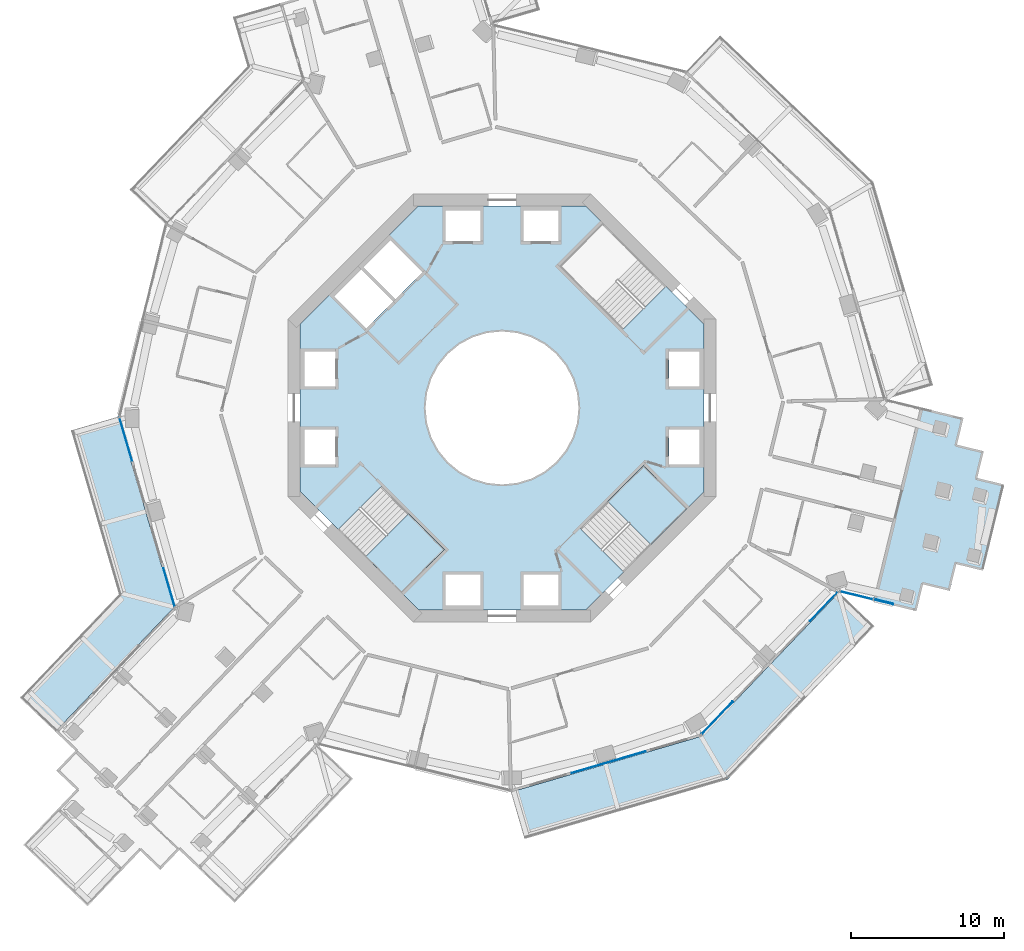
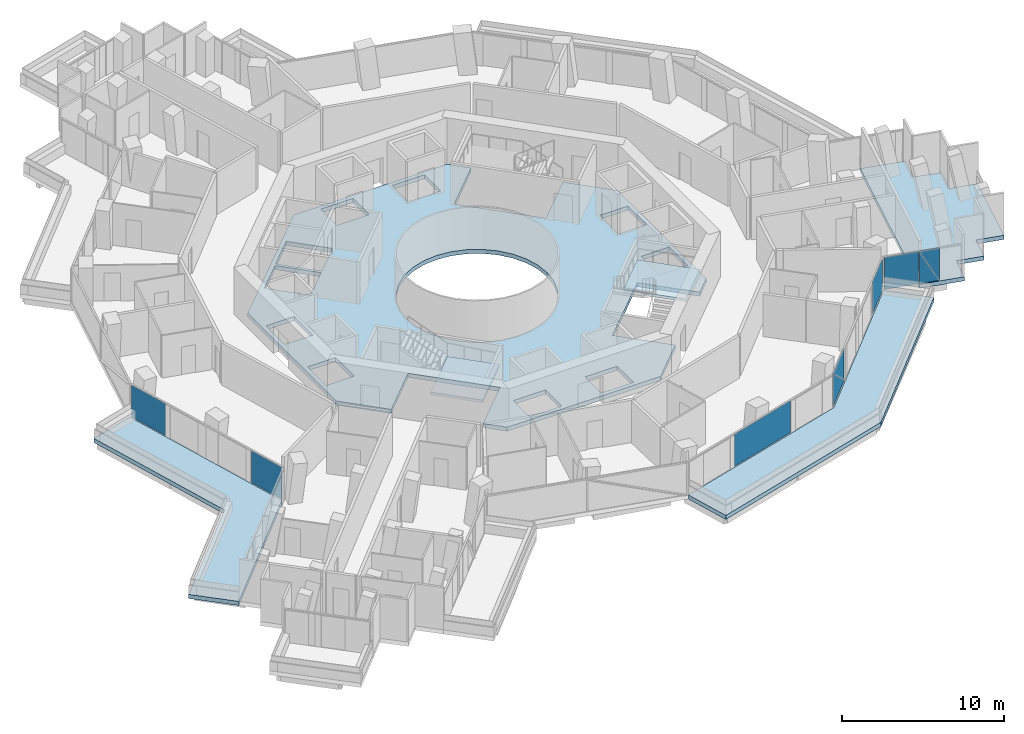
# One storey, part 13 of 25: 9 plates, 6 slabs, 6 elements without a shape of their own.
"""IFC4 building model written with IfcOpenShell, lengths in metres."""

import ifcopenshell
import ifcopenshell.guid

model = None  # the IFC model being written
_history = None  # IfcOwnerHistory: only IFC2X3 demands one
_inside = {}  # id of a spatial element -> (the spatial element, [elements in it])
_under = {}  # id of a project, library or spatial element -> (it, [spatial elements below it])
_declared = {}  # id of a project -> (the project, [libraries it declares])
_typed = {}  # id of a type object -> (the type object, [elements of that type])
_made_of = {}  # id of a material, layer set ... -> (it, [elements and type objects made of it])


def new_model(schema):
    """Start an empty IFC model of exactly this schema.

    Asked for "IFC4X3", IfcOpenShell would pick the latest addendum, in which some entities
    have other attributes; the version numbers below select the first issue.
    IFC2X3 requires an IfcOwnerHistory on every rooted entity: one is made here for all.
    """
    global model, _history
    if schema == "IFC4X3":
        model = ifcopenshell.file(schema_version=(4, 3, 0, 0))
    else:
        model = ifcopenshell.file(schema=schema)
    _inside.clear()
    _under.clear()
    _declared.clear()
    _typed.clear()
    _made_of.clear()
    _history = None
    if model.schema == "IFC2X3":
        org = make("IfcOrganization", Name="unknown")
        user = make(
            "IfcPersonAndOrganization",
            ThePerson=make("IfcPerson", FamilyName="unknown"),
            TheOrganization=org,
        )
        app = make(
            "IfcApplication",
            ApplicationDeveloper=org,
            Version="unknown",
            ApplicationFullName="unknown",
            ApplicationIdentifier="unknown",
        )
        _history = make(
            "IfcOwnerHistory",
            OwningUser=user,
            OwningApplication=app,
            ChangeAction="ADDED",
            CreationDate=0,
        )
    return model


def make(cls, **values):
    """One entity of the class cls with the attributes given. An attribute that is None is left unset."""
    return model.create_entity(
        cls, **{name: value for name, value in values.items() if value is not None}
    )


def rooted(cls, **values):
    """An entity with a GlobalId (a new one), such as an element, a storey or a relation."""
    return make(cls, GlobalId=ifcopenshell.guid.new(), OwnerHistory=_history, **values)


def si_unit(unit_type, name, prefix=None):
    """IfcSIUnit, for example si_unit("LENGTHUNIT", "METRE", prefix="MILLI")."""
    return make("IfcSIUnit", UnitType=unit_type, Prefix=prefix, Name=name)


def assignment(units):
    """IfcUnitAssignment: the units of a project."""
    return None if units is None else make("IfcUnitAssignment", Units=units)


def point(xyz):
    """IfcCartesianPoint."""
    return None if xyz is None else make("IfcCartesianPoint", Coordinates=xyz)


def direction(xyz):
    """IfcDirection."""
    return None if xyz is None else make("IfcDirection", DirectionRatios=xyz)


def frame(location, z_axis=None, x_axis=None):
    """IfcAxis2Placement3D, a coordinate frame: its origin and axes. An axis left out is left unset."""
    return make(
        "IfcAxis2Placement3D",
        Location=point(location),
        Axis=direction(z_axis),
        RefDirection=direction(x_axis),
    )


def frame_2d(location, x_axis=None):
    """IfcAxis2Placement2D, a coordinate frame in the plane: its origin and x axis."""
    return make(
        "IfcAxis2Placement2D", Location=point(location), RefDirection=direction(x_axis)
    )


def origin():
    """The frame at (0, 0, 0) with its axes left unset."""
    return frame((0.0, 0.0, 0.0))


def origin_2d():
    """The frame at (0, 0) in the plane with its x axis left unset."""
    return frame_2d((0.0, 0.0))


def place(relative_to, where):
    """IfcLocalPlacement: puts the frame where relative to a parent placement (None: the world)."""
    return make(
        "IfcLocalPlacement", PlacementRelTo=relative_to, RelativePlacement=where
    )


def context(
    kind, dimensions, precision=None, world=None, true_north=None, identifier=None
):
    """IfcGeometricRepresentationContext, for example the 3D "Model" context."""
    return make(
        "IfcGeometricRepresentationContext",
        ContextIdentifier=identifier,
        ContextType=kind,
        CoordinateSpaceDimension=dimensions,
        Precision=precision,
        WorldCoordinateSystem=world,
        TrueNorth=true_north,
    )


def subcontext(parent, identifier, kind, view, scale=None):
    """IfcGeometricRepresentationSubContext, for example "Body" below "Model"."""
    return make(
        "IfcGeometricRepresentationSubContext",
        ContextIdentifier=identifier,
        ContextType=kind,
        ParentContext=parent,
        TargetScale=scale,
        TargetView=view,
    )


def project(units=None, contexts=None):
    """IfcProject with its units and contexts."""
    return rooted(
        "IfcProject",
        Name="project",
        RepresentationContexts=contexts,
        UnitsInContext=assignment(units),
    )


def spatial(cls, under=None, at=None, **own):
    """A site, building, storey or space (cls), placed at a placement, below another one or the project."""
    s = rooted(cls, ObjectPlacement=at, **own)
    if under is not None:
        _under.setdefault(under.id(), (under, []))[1].append(s)
    return s


def polyline(points):
    """IfcPolyline through the points."""
    return make("IfcPolyline", Points=[point(p) for p in points])


def profile(cls, at=None, kind="AREA", **sizes):
    """A parametric profile (cls). Its sizes go by their IFC names, for example OverallWidth=200.0."""
    return make(cls, ProfileType=kind, Position=at, **sizes)


def rectangle(**sizes):
    """IfcRectangleProfileDef."""
    return profile("IfcRectangleProfileDef", **sizes)


def outline(outer, holes=None, kind="AREA"):
    """IfcArbitraryClosedProfileDef: a profile drawn as a closed curve; with holes, ...WithVoids."""
    if holes is None:
        return make("IfcArbitraryClosedProfileDef", ProfileType=kind, OuterCurve=outer)
    return make(
        "IfcArbitraryProfileDefWithVoids",
        ProfileType=kind,
        OuterCurve=outer,
        InnerCurves=holes,
    )


def extrude(swept, where, along, depth):
    """IfcExtrudedAreaSolid: the profile swept, set in the frame where, extruded along a direction by depth."""
    return make(
        "IfcExtrudedAreaSolid",
        SweptArea=swept,
        Position=where,
        ExtrudedDirection=direction(along),
        Depth=depth,
    )


def shape(context_of_items, identifier, shape_type, items):
    """IfcShapeRepresentation: the items that make up one representation, for example the "Body"."""
    return make(
        "IfcShapeRepresentation",
        ContextOfItems=context_of_items,
        RepresentationIdentifier=identifier,
        RepresentationType=shape_type,
        Items=items,
    )


def material(Name=None, Category=None):
    """IfcMaterial."""
    return make("IfcMaterial", Name=Name, Category=Category)


def layer(
    of_material, thickness, ventilated=None, Name=None, Category=None, Priority=None
):
    """IfcMaterialLayer: one layer of a wall or slab, of a material (None: an air gap)."""
    return make(
        "IfcMaterialLayer",
        Material=of_material,
        LayerThickness=thickness,
        IsVentilated=ventilated,
        Name=Name,
        Category=Category,
        Priority=Priority,
    )


def layer_set(layers, Name=None):
    """IfcMaterialLayerSet."""
    return make("IfcMaterialLayerSet", MaterialLayers=layers, LayerSetName=Name)


def made_of(thing, what):
    """Note that an element or type object is made of a material, layer set ...; save() writes the relation."""
    if what is not None:
        _made_of.setdefault(what.id(), (what, []))[1].append(thing)
    return thing


def type_object(cls, material=None, **own):
    """A type object (cls), such as IfcWallType, which elements share."""
    return made_of(rooted(cls, **own), material)


def element(
    cls,
    number,
    at=None,
    inside=None,
    cuts=None,
    type_object=None,
    material=None,
    context=None,
    identifier="Body",
    shape_type=None,
    held_by="IfcProductDefinitionShape",
    body=None,
    shapes=None,
    **own,
):
    """One element of the class cls, such as IfcWall. Its Tag is "e" and its number.

    at: its placement. inside: the storey or other place that contains it. cuts: it is an
    opening in that element (IfcRelVoidsElement). A single representation is given by context,
    identifier, shape_type and body (its items); several are given by shapes. held_by: the class
    of the entity that holds the representations. save() writes the other relations.
    """
    e = rooted(cls, Tag="e%d" % number, ObjectPlacement=at, **own)
    if body is not None:
        shapes = [shape(context, identifier, shape_type, body)]
    if shapes is not None:
        e.Representation = make(held_by, Representations=shapes)
    if inside is not None:
        _inside.setdefault(inside.id(), (inside, []))[1].append(e)
    if cuts is not None:
        rooted(
            "IfcRelVoidsElement", RelatingBuildingElement=cuts, RelatedOpeningElement=e
        )
    if type_object is not None:
        _typed.setdefault(type_object.id(), (type_object, []))[1].append(e)
    return made_of(e, material)


def aggregate(whole, parts):
    """IfcRelAggregates: a whole, such as a stair, and the parts it consists of."""
    return rooted("IfcRelAggregates", RelatingObject=whole, RelatedObjects=parts)


def save(model, path):
    """Write the relations noted so far, then the file.

    IfcRelAggregates (storeys below a building ...), IfcRelContainedInSpatialStructure (elements
    in a storey), IfcRelDefinesByType, IfcRelAssociatesMaterial and IfcRelDeclares: one each for
    every whole, place, type object, material and project.
    """
    for whole, parts in _under.values():
        aggregate(whole, parts)
    for where, things in _inside.values():
        rooted(
            "IfcRelContainedInSpatialStructure",
            RelatedElements=things,
            RelatingStructure=where,
        )
    for kind, things in _typed.values():
        rooted("IfcRelDefinesByType", RelatedObjects=things, RelatingType=kind)
    for what, things in _made_of.values():
        rooted("IfcRelAssociatesMaterial", RelatedObjects=things, RelatingMaterial=what)
    for by, libraries in _declared.values():
        rooted("IfcRelDeclares", RelatingContext=by, RelatedDefinitions=libraries)
    model.write(path)


model = new_model("IFC4")

# Units and contexts
model_context = context("Model", 3, precision=1e-05, world=origin(), true_north=direction((0.0, 1.0)))
body_context = subcontext(model_context, "Body", "Model", "MODEL_VIEW")
ifc_project = project(units=[si_unit("LENGTHUNIT", "METRE"), si_unit("AREAUNIT", "SQUARE_METRE"), si_unit("VOLUMEUNIT", "CUBIC_METRE"), si_unit("PLANEANGLEUNIT", "RADIAN"), si_unit("MASSUNIT", "GRAM", prefix="KILO")], contexts=[model_context])

# Site, building, storey
site_placement = place(None, origin())
site = spatial("IfcSite", under=ifc_project, at=site_placement, CompositionType="ELEMENT")
building_placement = place(site_placement, origin())
building = spatial("IfcBuilding", under=site, at=building_placement, Name="Verdalira Terraces Hotel", CompositionType="ELEMENT")
storey_placement = place(building_placement, frame((0.0, 0.0, 100.0)))
storey = spatial("IfcBuildingStorey", under=building, at=storey_placement, Name="L23", CompositionType="ELEMENT", Elevation=100.0)

# Slabs
ifc_material_1 = material(Name="Precast concrete C40/50", Category="concrete")
ifc_layer_1 = layer(ifc_material_1, 0.31005859375)
ifc_layer_set_1 = layer_set([ifc_layer_1], Name="Balcony deck 310")
slab_type_1 = type_object("IfcSlabType", Name="Balcony deck 310", PredefinedType="FLOOR", material=ifc_layer_set_1)
slab_1_placement = place(storey_placement, frame((0.0, 0.0, -0.310059)))
element("IfcSlab", 1, at=slab_1_placement, inside=storey, type_object=slab_type_1, Name="Balcony deck", PredefinedType="FLOOR", context=body_context, shape_type="SweptSolid", body=[
    extrude(outline(polyline([(-25.044678, -12.180908), (-31.509277, -18.950684), (-29.195068, -21.160645), (-21.454346, -13.054688), (-25.107422, -0.578613), (-28.178467, -1.477783), (-25.044678, -12.180908)])), origin(), (0.0, 0.0, 1.0), 0.310059),
])
slab_2_placement = place(storey_placement, frame((0.0, 0.0, -0.310059)))
element("IfcSlab", 2, at=slab_2_placement, inside=storey, type_object=slab_type_1, Name="Balcony deck", PredefinedType="FLOOR", context=body_context, shape_type="SweptSolid", body=[
    extrude(outline(polyline([(24.347168, -14.262695), (22.032959, -12.052734), (13.054688, -21.454346), (0.578613, -25.107422), (1.477783, -28.178467), (14.776855, -24.284424), (24.347168, -14.262695)])), origin(), (0.0, 0.0, 1.0), 0.310059),
])

# Curtain wall, plates
ifc_material_2 = material(Name="Clear glass", Category="glass")
ifc_layer_2 = layer(ifc_material_2, 0.14990234375)
ifc_layer_set_2 = layer_set([ifc_layer_2], Name="CW1 curtain wall")
curtain_wall_type_1 = type_object("IfcCurtainWallType", Name="CW1 curtain wall", PredefinedType="NOTDEFINED", material=ifc_layer_set_2)
curtain_wall_1_placement = place(storey_placement, origin())
curtain_wall_1 = element("IfcCurtainWall", 3, at=curtain_wall_1_placement, inside=storey, type_object=curtain_wall_type_1, Name="CW1 curtain wall L23 edge 13", PredefinedType="NOTDEFINED")
ifc_material_3 = material(Name="Clear glass", Category="glass")
ifc_layer_3 = layer(ifc_material_3, 0.028076171875)
ifc_layer_set_3 = layer_set([ifc_layer_3], Name="CW1 glass unit 28")
plate_type_1 = type_object("IfcPlateType", Name="CW1 glass unit 28", PredefinedType="CURTAIN_PANEL", material=ifc_layer_set_3)
plate_1_placement = place(storey_placement, frame((-24.596436, -2.057129, 0.0), z_axis=(0.0, 0.0, 1.0), x_axis=(0.281001727, -0.959707262, 0.0)))
plate_1 = element("IfcPlate", 4, at=plate_1_placement, type_object=plate_type_1, Name="CW1 glass unit", PredefinedType="CURTAIN_PANEL", context=body_context, shape_type="SweptSolid", body=[
    extrude(rectangle(XDim=2.924805, YDim=0.028076, at=origin_2d()), origin(), (0.0, 0.0, 1.0), 2.425049),
])
plate_2_placement = place(storey_placement, frame((-21.765137, -11.726318, 0.0), z_axis=(0.0, 0.0, 1.0), x_axis=(0.281001727, -0.959707262, 0.0)))
plate_2 = element("IfcPlate", 5, at=plate_2_placement, type_object=plate_type_1, Name="CW1 glass unit", PredefinedType="CURTAIN_PANEL", context=body_context, shape_type="SweptSolid", body=[
    extrude(rectangle(XDim=2.604492, YDim=0.028076, at=origin_2d()), origin(), (0.0, 0.0, 1.0), 2.425049),
])
aggregate(curtain_wall_1, [plate_1, plate_2])

# Curtain wall, plate
curtain_wall_2_placement = place(storey_placement, origin())
curtain_wall_2 = element("IfcCurtainWall", 6, at=curtain_wall_2_placement, inside=storey, type_object=curtain_wall_type_1, Name="CW1 curtain wall L23 edge 26", PredefinedType="NOTDEFINED")
plate_3_placement = place(storey_placement, frame((6.967285, -23.158691, 0.0), z_axis=(0.0, 0.0, 1.0), x_axis=(0.959707262, 0.281001727, 0.0)))
plate_3 = element("IfcPlate", 7, at=plate_3_placement, type_object=plate_type_1, Name="CW1 glass unit", PredefinedType="CURTAIN_PANEL", context=body_context, shape_type="SweptSolid", body=[
    extrude(rectangle(XDim=5.021729, YDim=0.028076, at=origin_2d()), origin(), (0.0, 0.0, 1.0), 2.425049),
])
aggregate(curtain_wall_2, [plate_3])

# Curtain wall, plates
curtain_wall_3_placement = place(storey_placement, origin())
curtain_wall_3 = element("IfcCurtainWall", 8, at=curtain_wall_3_placement, inside=storey, type_object=curtain_wall_type_1, Name="CW1 curtain wall L23 edge 27", PredefinedType="NOTDEFINED")
plate_4_placement = place(storey_placement, frame((14.069336, -20.262695, 1.212402), z_axis=(0.723208265, -0.690630006, 0.0), x_axis=(0.690630006, 0.723208265, 0.0)))
plate_4 = element("IfcPlate", 9, at=plate_4_placement, type_object=plate_type_1, Name="CW1 glass unit", PredefinedType="CURTAIN_PANEL", context=body_context, shape_type="SweptSolid", body=[
    extrude(outline(polyline([(-1.462402, -1.212402), (1.462402, -1.212402), (-1.462402, 1.212402), (-1.462402, -1.212402)])), origin(), (0.0, 0.0, 1.0), 0.028076),
])
plate_5_placement = place(storey_placement, frame((14.04834, -20.242676, 1.212402), z_axis=(0.723208265, -0.690630006, 0.0), x_axis=(0.690630006, 0.723208265, 0.0)))
plate_5 = element("IfcPlate", 10, at=plate_5_placement, type_object=plate_type_1, Name="CW1 glass unit", PredefinedType="CURTAIN_PANEL", context=body_context, shape_type="SweptSolid", body=[
    extrude(outline(polyline([(1.462402, -1.212402), (1.462402, 1.212402), (-1.462402, 1.212402), (1.462402, -1.212402)])), origin(), (0.0, 0.0, 1.0), 0.028076),
])
plate_6_placement = place(storey_placement, frame((21.037842, -12.986084, 0.0), z_axis=(0.0, 0.0, 1.0), x_axis=(0.690630006, 0.723208265, 0.0)))
plate_6 = element("IfcPlate", 11, at=plate_6_placement, type_object=plate_type_1, Name="CW1 glass unit", PredefinedType="CURTAIN_PANEL", context=body_context, shape_type="SweptSolid", body=[
    extrude(rectangle(XDim=2.604492, YDim=0.028076, at=origin_2d()), origin(), (0.0, 0.0, 1.0), 2.425049),
])
aggregate(curtain_wall_3, [plate_4, plate_5, plate_6])

ifc_material_4 = material(Name="Clear glass", Category="glass")
ifc_layer_4 = layer(ifc_material_4, 0.14990234375)
ifc_layer_set_4 = layer_set([ifc_layer_4], Name="CW2 curtain wall")
curtain_wall_type_2 = type_object("IfcCurtainWallType", Name="CW2 curtain wall", PredefinedType="NOTDEFINED", material=ifc_layer_set_4)
curtain_wall_4_placement = place(storey_placement, origin())
curtain_wall_4 = element("IfcCurtainWall", 12, at=curtain_wall_4_placement, inside=storey, type_object=curtain_wall_type_2, Name="CW2 curtain wall L23 edge 28", PredefinedType="NOTDEFINED")
ifc_material_5 = material(Name="Clear glass", Category="glass")
ifc_layer_5 = layer(ifc_material_5, 0.031982421875)
ifc_layer_set_5 = layer_set([ifc_layer_5], Name="CW2 glass unit 32")
plate_type_2 = type_object("IfcPlateType", Name="CW2 glass unit 32", PredefinedType="CURTAIN_PANEL", material=ifc_layer_set_5)
plate_7_placement = place(storey_placement, frame((23.179199, -12.254639, 0.0), z_axis=(0.0, 0.0, 1.0), x_axis=(0.971631733, -0.236498997, 0.0)))
plate_7 = element("IfcPlate", 13, at=plate_7_placement, type_object=plate_type_2, Name="CW2 glass unit", PredefinedType="CURTAIN_PANEL", context=body_context, shape_type="SweptSolid", body=[
    extrude(rectangle(XDim=2.183105, YDim=0.031982, at=origin_2d()), origin(), (0.0, 0.0, 1.0), 2.425049),
])
plate_8_placement = place(storey_placement, frame((24.939941, -12.666504, 1.212402), z_axis=(-0.236498997, -0.971631733, 0.0), x_axis=(0.971631733, -0.236498997, 0.0)))
plate_8 = element("IfcPlate", 14, at=plate_8_placement, type_object=plate_type_2, Name="CW2 glass unit", PredefinedType="CURTAIN_PANEL", context=body_context, shape_type="SweptSolid", body=[
    extrude(outline(polyline([(-0.646729, -1.212402), (0.646729, -1.212402), (-0.646729, 1.212402), (-0.646729, -1.212402)])), origin(), (0.0, 0.0, 1.0), 0.031982),
])
plate_9_placement = place(storey_placement, frame((24.947754, -12.634521, 1.212402), z_axis=(-0.236498997, -0.971631733, 0.0), x_axis=(0.971631733, -0.236498997, 0.0)))
plate_9 = element("IfcPlate", 15, at=plate_9_placement, type_object=plate_type_2, Name="CW2 glass unit", PredefinedType="CURTAIN_PANEL", context=body_context, shape_type="SweptSolid", body=[
    extrude(outline(polyline([(0.646729, -1.212402), (0.646729, 1.212402), (-0.646729, 1.212402), (0.646729, -1.212402)])), origin(), (0.0, 0.0, 1.0), 0.031982),
])
aggregate(curtain_wall_4, [plate_7, plate_8, plate_9])

# Slab
ifc_material_6 = material(Name="Concrete C40", Category="concrete")
ifc_layer_6 = layer(ifc_material_6, 0.31005859375)
ifc_layer_set_6 = layer_set([ifc_layer_6], Name="Core floor slab 310 mm")
slab_type_2 = type_object("IfcSlabType", Name="Core floor slab 310 mm", PredefinedType="FLOOR", material=ifc_layer_set_6)
slab_3_placement = place(storey_placement, frame((0.0, 0.0, -0.310059)))
element("IfcSlab", 16, at=slab_3_placement, inside=storey, type_object=slab_type_2, Name="L23 core floor", PredefinedType="FLOOR", context=body_context, shape_type="SweptSolid", body=[
    extrude(outline(polyline([(-5.467529, 13.199951), (5.467529, 13.199951), (6.562012, 12.105713), (3.719482, 9.263184), (7.869629, 5.112793), (10.712402, 7.955322), (13.199951, 5.467529), (13.199951, -5.467529), (12.105713, -6.562012), (9.263184, -3.719482), (5.112793, -7.869629), (7.955322, -10.712402), (5.467529, -13.199951), (-5.467529, -13.199951), (-6.562012, -12.105713), (-3.719482, -9.263184), (-7.869629, -5.112793), (-10.712402, -7.955322), (-13.199951, -5.467529), (-13.199951, 5.467529), (-5.467529, 13.199951)]), holes=[polyline([(12.899902, -3.699951), (12.899902, -1.399902), (10.899902, -1.399902), (10.899902, -3.699951), (12.899902, -3.699951)]), polyline([(12.899902, 1.399902), (12.899902, 3.699951), (10.899902, 3.699951), (10.899902, 1.399902), (12.899902, 1.399902)]), polyline([(1.399902, 10.899902), (3.699951, 10.899902), (3.699951, 12.899902), (1.399902, 12.899902), (1.399902, 10.899902)]), polyline([(-3.699951, 10.899902), (-1.399902, 10.899902), (-1.399902, 12.899902), (-3.699951, 12.899902), (-3.699951, 10.899902)]), polyline([(-12.899902, 3.699951), (-12.899902, 1.399902), (-10.899902, 1.399902), (-10.899902, 3.699951), (-12.899902, 3.699951)]), polyline([(-12.899902, -1.399902), (-12.899902, -3.699951), (-10.899902, -3.699951), (-10.899902, -1.399902), (-12.899902, -1.399902)]), polyline([(-1.399902, -10.899902), (-3.699951, -10.899902), (-3.699951, -12.899902), (-1.399902, -12.899902), (-1.399902, -10.899902)]), polyline([(3.699951, -10.899902), (1.399902, -10.899902), (1.399902, -12.899902), (3.699951, -12.899902), (3.699951, -10.899902)]), polyline([(-9.051025, 9.192383), (-6.965088, 7.106445), (-5.197266, 8.874268), (-7.283203, 10.960205), (-9.051025, 9.192383)]), polyline([(-9.192383, 9.051025), (-10.960205, 7.283203), (-8.874268, 5.197266), (-7.106445, 6.965088), (-9.192383, 9.051025)]), polyline([(3.5354, 3.5354), (2.777832, 4.157227), (1.91333, 4.619385), (0.975586, 4.903809), (0.0, 5.0), (-0.975586, 4.903809), (-1.91333, 4.619385), (-2.777832, 4.157227), (-3.5354, 3.5354), (-4.157227, 2.777832), (-4.619385, 1.91333), (-4.903809, 0.975586), (-5.0, 0.0), (-4.903809, -0.975586), (-4.619385, -1.91333), (-4.157227, -2.777832), (-3.5354, -3.5354), (-2.777832, -4.157227), (-1.91333, -4.619385), (-0.975586, -4.903809), (0.0, -5.0), (0.975586, -4.903809), (1.91333, -4.619385), (2.777832, -4.157227), (3.5354, -3.5354), (4.157227, -2.777832), (4.619385, -1.91333), (4.903809, -0.975586), (5.0, 0.0), (4.903809, 0.975586), (4.619385, 1.91333), (4.157227, 2.777832), (3.5354, 3.5354)])]), origin(), (0.0, 0.0, 1.0), 0.310059),
])

# Stair, slab
ifc_material_7 = material(Name="Concrete C40", Category="concrete")
stair_type = type_object("IfcStairType", Name="Core stair 20 risers 1950 mm wide", PredefinedType="HALF_TURN_STAIR", material=ifc_material_7)
stair_1_placement = place(storey_placement, origin())
stair_1 = element("IfcStair", 17, at=stair_1_placement, inside=storey, type_object=stair_type, Name="L23 Exit stair ST2", PredefinedType="HALF_TURN_STAIR")
ifc_material_8 = material(Name="Concrete C40", Category="concrete")
ifc_layer_7 = layer(ifc_material_8, 0.199951171875)
ifc_layer_set_7 = layer_set([ifc_layer_7], Name="Core stair landing 200 mm")
slab_type_3 = type_object("IfcSlabType", Name="Core stair landing 200 mm", PredefinedType="LANDING", material=ifc_layer_set_7)
slab_4_placement = place(storey_placement, frame((0.0, 0.0, 1.550049)))
slab_4 = element("IfcSlab", 18, at=slab_4_placement, type_object=slab_type_3, Name="ST2 landing 1", PredefinedType="LANDING", context=body_context, shape_type="SweptSolid", body=[
    extrude(outline(polyline([(-8.931152, -9.736572), (-6.576172, -12.091553), (-3.747559, -9.263184), (-6.102783, -6.907959), (-8.931152, -9.736572)])), origin(), (0.0, 0.0, 1.0), 0.199951),
])
aggregate(stair_1, [slab_4])

stair_2_placement = place(storey_placement, origin())
stair_2 = element("IfcStair", 19, at=stair_2_placement, inside=storey, type_object=stair_type, Name="L23 Exit stair ST3", PredefinedType="HALF_TURN_STAIR")
slab_5_placement = place(storey_placement, frame((0.0, 0.0, 1.550049)))
slab_5 = element("IfcSlab", 20, at=slab_5_placement, type_object=slab_type_3, Name="ST3 landing 1", PredefinedType="LANDING", context=body_context, shape_type="SweptSolid", body=[
    extrude(outline(polyline([(9.736572, -8.931152), (12.091553, -6.576172), (9.263184, -3.747559), (6.907959, -6.102783), (9.736572, -8.931152)])), origin(), (0.0, 0.0, 1.0), 0.199951),
])
aggregate(stair_2, [slab_5])

# Slab
ifc_material_9 = material(Name="Concrete C40", Category="concrete")
ifc_layer_8 = layer(ifc_material_9, 0.31005859375)
ifc_layer_set_8 = layer_set([ifc_layer_8], Name="Loggia floor deck 310 C40")
slab_type_4 = type_object("IfcSlabType", Name="Loggia floor deck 310 C40", PredefinedType="FLOOR", material=ifc_layer_set_8)
slab_6_placement = place(storey_placement, frame((0.0, 0.0, -0.310059)))
element("IfcSlab", 21, at=slab_6_placement, inside=storey, type_object=slab_type_4, Name="Loggia deck L23", PredefinedType="FLOOR", context=body_context, shape_type="SweptSolid", body=[
    extrude(outline(polyline([(30.167725, -0.65332), (27.350098, 0.032715), (24.275635, -12.598633), (27.093506, -13.284424), (27.519043, -11.5354), (29.268066, -11.961182), (29.693604, -10.212158), (31.442627, -10.637939), (32.814209, -5.002441), (31.06543, -4.576904), (31.491211, -2.827881), (29.742188, -2.4021), (30.167725, -0.65332)])), origin(), (0.0, 0.0, 1.0), 0.310059),
])

save(model, "model.ifc")
